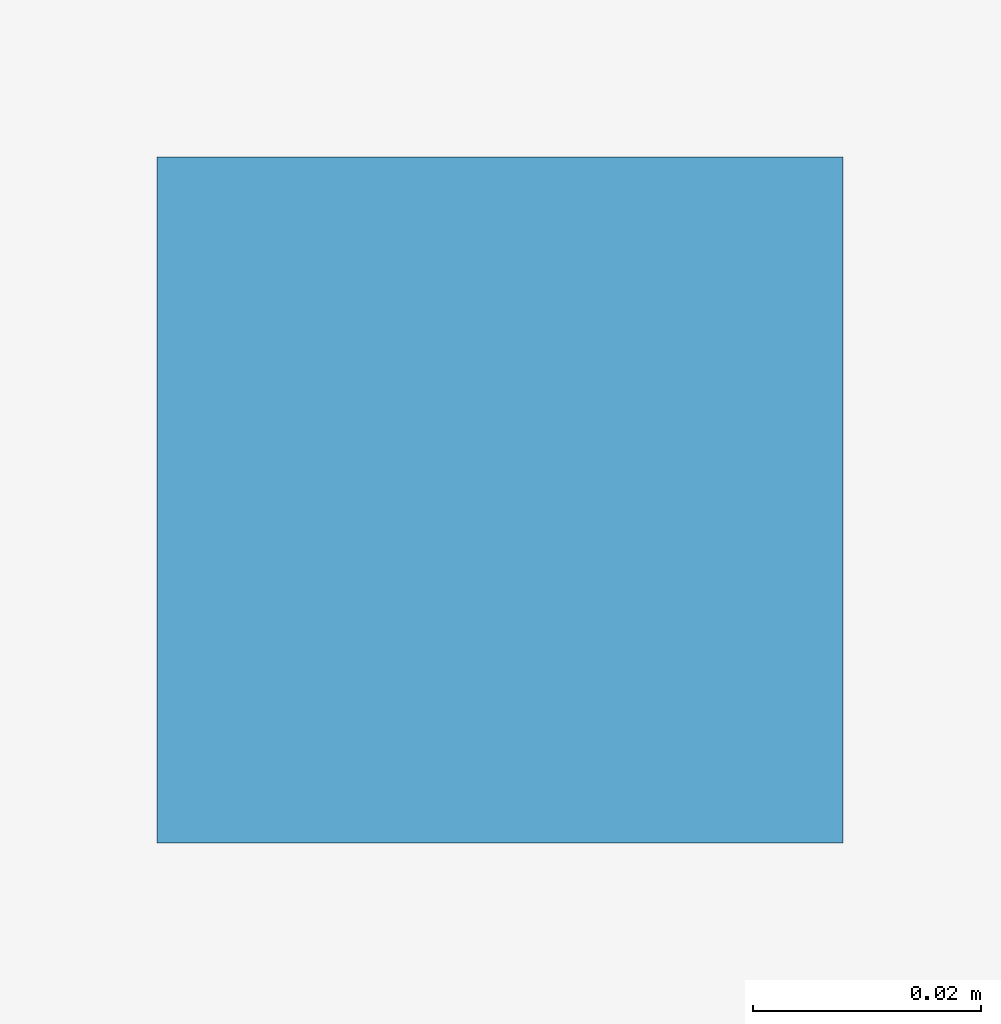
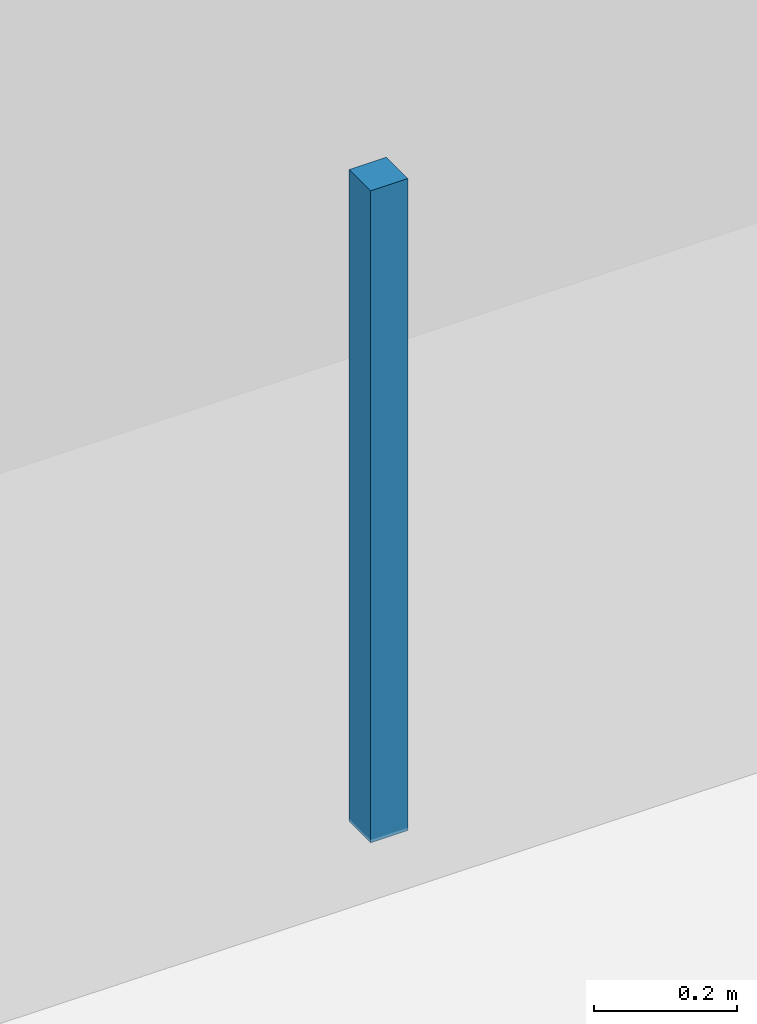
# One storey, part 116 of 139: 1 discrete accessory.
"""IFC4 building model written with IfcOpenShell, lengths in metres."""

from ifc_helpers import new_model, si_unit, derived_unit, direction, frame, origin, origin_2d, place, context, subcontext, project, spatial, rectangle, extrude, material, layer, layer_set, type_object, element, save


model = new_model("IFC4")

# Units and contexts
model_context = context("Model", 3, precision=1e-05, world=origin(), true_north=direction((0.0, 1.0)))
body_context = subcontext(model_context, "Body", "Model", "MODEL_VIEW")
ifc_project = project(units=[si_unit("LENGTHUNIT", "METRE"), si_unit("AREAUNIT", "SQUARE_METRE"), si_unit("VOLUMEUNIT", "CUBIC_METRE"), si_unit("PLANEANGLEUNIT", "RADIAN"), si_unit("MASSUNIT", "GRAM", prefix="KILO"), derived_unit("THERMALTRANSMITTANCEUNIT", [(si_unit("MASSUNIT", "GRAM", prefix="KILO"), 1), (si_unit("TIMEUNIT", "SECOND"), -3), (si_unit("THERMODYNAMICTEMPERATUREUNIT", "KELVIN"), -1)])], contexts=[model_context])

# Site, building, storey
site_placement = place(None, origin())
site = spatial("IfcSite", under=ifc_project, at=site_placement, CompositionType="ELEMENT")
building_placement = place(site_placement, origin())
building = spatial("IfcBuilding", under=site, at=building_placement, Name="Makaiwela Harbour Ferry Terminal", CompositionType="ELEMENT")
storey_placement = place(building_placement, frame((0.0, 0.0, 5.10009765625)))
storey = spatial("IfcBuildingStorey", under=building, at=storey_placement, Name="L01", CompositionType="ELEMENT", Elevation=5.10009765625)

# Discrete accessory
ifc_material = material(Name="Marine grade 316L brushed stainless steel", Category="steel")
ifc_layer = layer(ifc_material, 1.0)
ifc_layer_set = layer_set([ifc_layer], Name="Marine grade 316L brushed stainless steel")
discrete_accessory_type = type_object("IfcDiscreteAccessoryType", Name="INT-ACC-HNG", PredefinedType="BRACKET", material=ifc_layer_set)
discrete_accessory_placement = place(storey_placement, frame((91.39990234375, 53.60009765625, 3.134765625), z_axis=(0.0, 0.0, 1.0), x_axis=(1.0, 0.0, 0.0)))
element("IfcDiscreteAccessory", 1, at=discrete_accessory_placement, inside=storey, type_object=discrete_accessory_type, Name="Ceiling Suspension Bracket HNG-040", PredefinedType="BRACKET", context=body_context, shape_type="SweptSolid", body=[
    extrude(rectangle(XDim=0.06005859375, YDim=0.06005859375, at=origin_2d()), origin(), (0.0, 0.0, 1.0), 1.110107421875),
])

save(model, "model.ifc")
